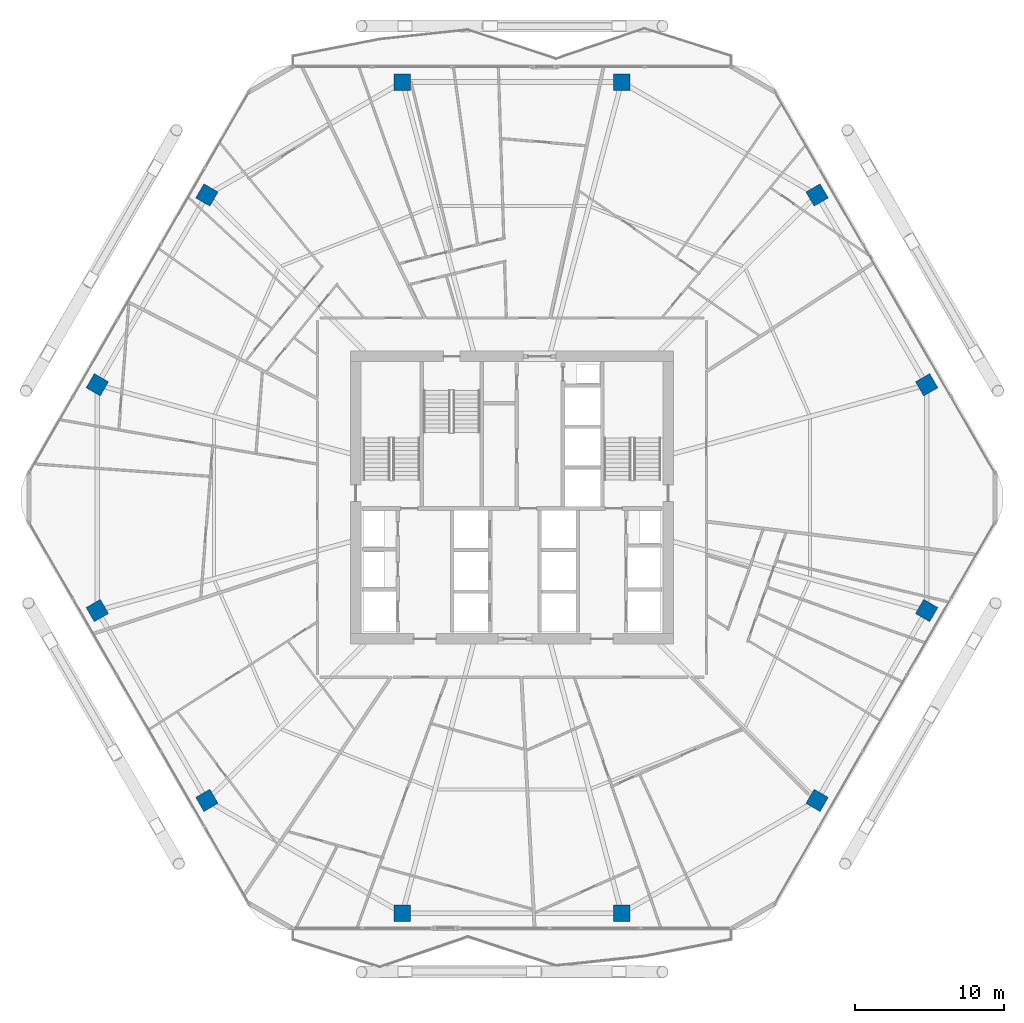
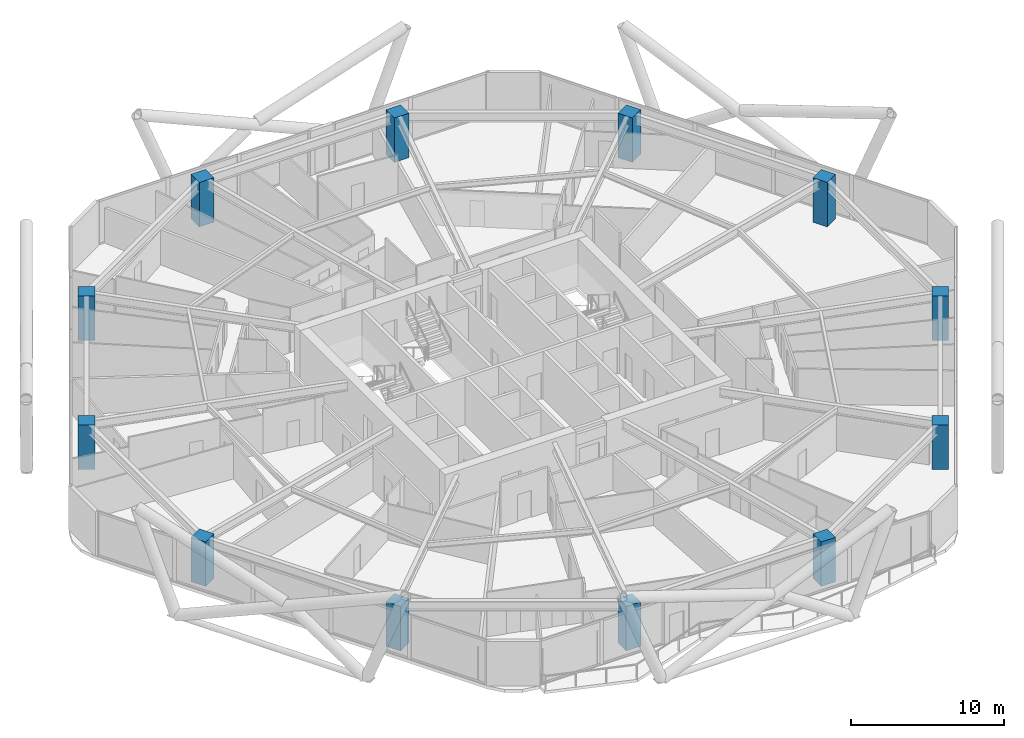
# One storey, part 1 of 35: 12 columns.
"""IFC4 building model written with IfcOpenShell, lengths in metres."""

from ifc_helpers import new_model, si_unit, direction, frame, origin, origin_2d, place, context, subcontext, project, spatial, rectangle, extrude, material, material_profile, profile_set, type_object, element, save


model = new_model("IFC4")

# Units and contexts
model_context = context("Model", 3, precision=1e-05, world=origin(), true_north=direction((0.0, 1.0)))
body_context = subcontext(model_context, "Body", "Model", "MODEL_VIEW")
ifc_project = project(units=[si_unit("LENGTHUNIT", "METRE"), si_unit("AREAUNIT", "SQUARE_METRE"), si_unit("VOLUMEUNIT", "CUBIC_METRE"), si_unit("PLANEANGLEUNIT", "RADIAN"), si_unit("MASSUNIT", "GRAM", prefix="KILO")], contexts=[model_context])

# Site, building, storey
site_placement = place(None, origin())
site = spatial("IfcSite", under=ifc_project, at=site_placement, CompositionType="ELEMENT")
building_placement = place(site_placement, origin())
building = spatial("IfcBuilding", under=site, at=building_placement, Name="Zuhravey Tower", CompositionType="ELEMENT")
storey_placement = place(building_placement, frame((0.0, 0.0, 115.199951171875)))
storey = spatial("IfcBuildingStorey", under=building, at=storey_placement, Name="L28", CompositionType="ELEMENT", Elevation=115.199951171875)

# Columns
ifc_material = material(Name="Concrete C60/75", Category="concrete")
ifc_material_profile = material_profile(ifc_material, rectangle(XDim=1.10009765625, YDim=1.10009765625, at=origin_2d()), Name="RC-1100x1100")
ifc_profile_set = profile_set([ifc_material_profile], Name="Concrete C60/75")
column_type = type_object("IfcColumnType", Name="Zone 1 Upper Column 1100x1100", PredefinedType="COLUMN", material=ifc_profile_set)
for number, where, z_axis, x_axis, name in (
    (1, (63.88916015625, 39.591552734375, 0.0), (0.0, 0.0, 1.0), (-0.5, 0.866025403784, 0.0), "L28 Perimeter Column PC01"),
    (2, (56.51904296875, 52.35693359375, 0.0), (0.0, 0.0, 1.0), (-0.5, 0.866025403784, 0.0), "L28 Perimeter Column PC02"),
    (3, (43.3701171875, 59.948486328125, 0.0), (0.0, 0.0, 1.0), (-1.0, 0.0, 0.0), "L28 Perimeter Column PC03"),
    (4, (28.6298828125, 59.948486328125, 0.0), (0.0, 0.0, 1.0), (-1.0, 0.0, 0.0), "L28 Perimeter Column PC04"),
    (5, (15.48095703125, 52.35693359375, 0.0), (0.0, 0.0, 1.0), (-0.5, -0.866025403784, 0.0), "L28 Perimeter Column PC05"),
    (6, (8.11083984375, 39.591552734375, 0.0), (0.0, 0.0, 1.0), (-0.5, -0.866025403784, 0.0), "L28 Perimeter Column PC06"),
    (7, (8.11083984375, 24.408447265625, 0.0), (0.0, 0.0, 1.0), (0.5, -0.866025403784, 0.0), "L28 Perimeter Column PC07"),
    (8, (15.48095703125, 11.64306640625, 0.0), (0.0, 0.0, 1.0), (0.5, -0.866025403784, 0.0), "L28 Perimeter Column PC08"),
    (9, (28.6298828125, 4.051513671875, 0.0), (0.0, 0.0, 1.0), (1.0, 0.0, 0.0), "L28 Perimeter Column PC09"),
    (10, (43.3701171875, 4.051513671875, 0.0), (0.0, 0.0, 1.0), (1.0, 0.0, 0.0), "L28 Perimeter Column PC10"),
    (11, (56.51904296875, 11.64306640625, 0.0), (0.0, 0.0, 1.0), (0.5, 0.866025403784, 0.0), "L28 Perimeter Column PC11"),
    (12, (63.88916015625, 24.408447265625, 0.0), (0.0, 0.0, 1.0), (0.5, 0.866025403784, 0.0), "L28 Perimeter Column PC12"),
):
    element("IfcColumn", number, at=place(storey_placement, frame(where, z_axis=z_axis, x_axis=x_axis)), inside=storey, type_object=column_type, Name=name, PredefinedType="COLUMN", context=body_context, shape_type="SweptSolid", body=[
        extrude(rectangle(XDim=1.10009765625, YDim=1.10009765625, at=origin_2d()), origin(), (0.0, 0.0, 1.0), 3.550048828125),
    ])

save(model, "model.ifc")
